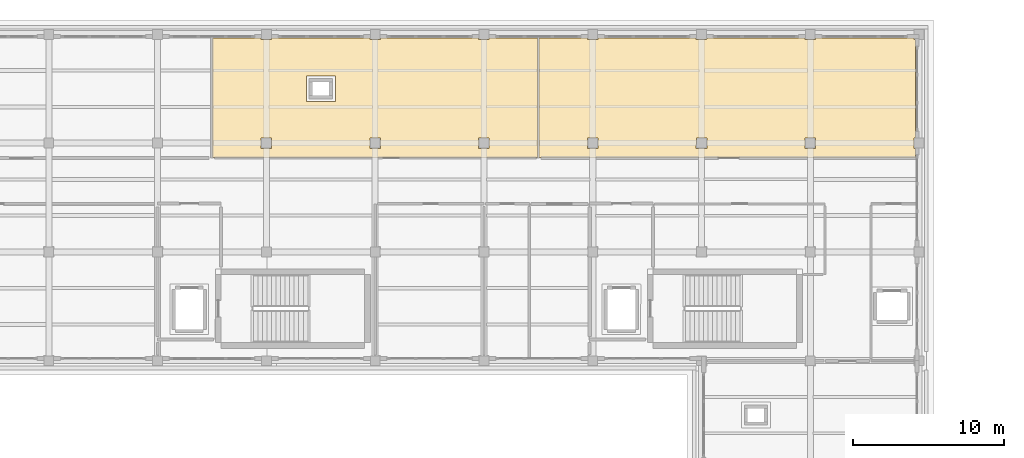
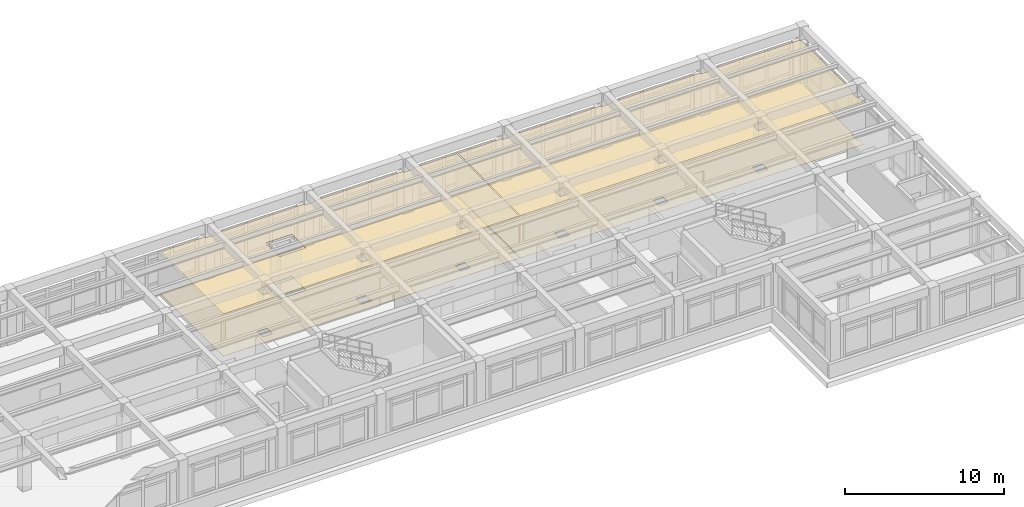
# One storey, part 55 of 55: 4 coverings.
"""IFC4 building model written with IfcOpenShell, lengths in metres."""

from ifc_helpers import new_model, si_unit, direction, frame, origin, place, context, subcontext, project, spatial, polyline, outline, extrude, material, layer, layer_set, type_object, element, save


model = new_model("IFC4")

# Units and contexts
model_context = context("Model", 3, precision=1e-05, world=origin(), true_north=direction((0.0, 1.0)))
body_context = subcontext(model_context, "Body", "Model", "MODEL_VIEW")
ifc_project = project(units=[si_unit("LENGTHUNIT", "METRE"), si_unit("AREAUNIT", "SQUARE_METRE"), si_unit("VOLUMEUNIT", "CUBIC_METRE"), si_unit("PLANEANGLEUNIT", "RADIAN"), si_unit("MASSUNIT", "GRAM", prefix="KILO")], contexts=[model_context])

# Site, building, storey
site_placement = place(None, origin())
site = spatial("IfcSite", under=ifc_project, at=site_placement, CompositionType="ELEMENT")
building_placement = place(site_placement, origin())
building = spatial("IfcBuilding", under=site, at=building_placement, Name="Solenvale Faculty of Natural Sciences", CompositionType="ELEMENT")
storey_placement = place(building_placement, frame((0.0, 0.0, 22.5)))
storey = spatial("IfcBuildingStorey", under=building, at=storey_placement, Name="L05", CompositionType="ELEMENT", Elevation=22.5)

# Coverings
ifc_material_1 = material(Name="Acoustic mineral-timber ceiling", Category="wood")
ifc_layer_1 = layer(ifc_material_1, 0.02490234375)
ifc_layer_set_1 = layer_set([ifc_layer_1], Name="Acoustic mineral-timber ceiling")
covering_type_1 = type_object("IfcCoveringType", Name="COV-CEIL-AC25", PredefinedType="CEILING", material=ifc_layer_set_1)
covering_1_placement = place(storey_placement, frame((0.0, 0.0, 3.235107421875)))
element("IfcCovering", 1, at=covering_1_placement, inside=storey, type_object=covering_type_1, Name="L05 Faculty Staff Office Acoustic Ceiling", PredefinedType="CEILING", context=body_context, shape_type="SweptSolid", body=[
    extrude(outline(polyline([(107.6201171875, 114.9599609375), (107.64794921875, 114.94091796875), (107.64990234375, 114.85888671875), (107.660888671875, 114.85009765625), (108.342041015625, 114.85009765625), (108.35107421875, 114.93896484375), (108.3798828125, 114.9599609375), (114.820068359375, 114.9599609375), (114.847900390625, 114.94091796875), (114.85009765625, 114.85888671875), (114.861083984375, 114.85009765625), (115.5419921875, 114.85009765625), (115.551025390625, 114.93896484375), (115.580078125, 114.9599609375), (122.02001953125, 114.9599609375), (122.048095703125, 114.94091796875), (122.050048828125, 114.85888671875), (122.06103515625, 114.85009765625), (122.741943359375, 114.85009765625), (122.7509765625, 114.93896484375), (122.780029296875, 114.9599609375), (125.9609375, 114.9580078125), (125.97998046875, 114.929931640625), (125.97802734375, 107.05908203125), (125.949951171875, 107.0400390625), (104.458984375, 107.0419921875), (104.43994140625, 107.070068359375), (104.44189453125, 114.94091796875), (104.469970703125, 114.9599609375), (107.6201171875, 114.9599609375)]), holes=[polyline([(122.06103515625, 108.35009765625), (122.050048828125, 108.339111328125), (122.052978515625, 107.653076171875), (122.7470703125, 107.653076171875), (122.7470703125, 108.346923828125), (122.06103515625, 108.35009765625)]), polyline([(114.861083984375, 108.35009765625), (114.85009765625, 108.339111328125), (114.85302734375, 107.653076171875), (115.547119140625, 107.653076171875), (115.547119140625, 108.346923828125), (114.861083984375, 108.35009765625)]), polyline([(112.56005859375, 112.431884765625), (112.550048828125, 112.451904296875), (112.530029296875, 112.4599609375), (110.64990234375, 112.451904296875), (110.639892578125, 112.429931640625), (110.64794921875, 110.75), (110.669921875, 110.739990234375), (112.550048828125, 110.748046875), (112.56005859375, 110.77001953125), (112.56005859375, 112.431884765625)]), polyline([(107.64990234375, 107.660888671875), (107.660888671875, 107.64990234375), (108.346923828125, 107.653076171875), (108.346923828125, 108.346923828125), (107.653076171875, 108.346923828125), (107.64990234375, 107.660888671875)])]), origin(), (0.0, 0.0, 1.0), 0.02490234375),
])
covering_2_placement = place(storey_placement, frame((0.0, 0.0, 3.235107421875)))
element("IfcCovering", 2, at=covering_2_placement, inside=storey, type_object=covering_type_1, Name="L05 Geochemistry Mass-Spectrometry Laboratory Acoustic Ceiling", PredefinedType="CEILING", context=body_context, shape_type="SweptSolid", body=[
    extrude(outline(polyline([(129.219970703125, 114.9599609375), (129.248046875, 114.94091796875), (129.25, 114.85888671875), (129.260986328125, 114.85009765625), (129.94189453125, 114.85009765625), (129.950927734375, 114.93896484375), (129.97998046875, 114.9599609375), (136.419921875, 114.9599609375), (136.447998046875, 114.94091796875), (136.449951171875, 114.85888671875), (136.4609375, 114.85009765625), (137.14208984375, 114.85009765625), (137.15087890625, 114.93896484375), (137.179931640625, 114.9599609375), (143.6201171875, 114.9599609375), (143.64794921875, 114.94091796875), (143.64990234375, 114.85888671875), (143.660888671875, 114.85009765625), (144.342041015625, 114.85009765625), (144.35107421875, 114.93896484375), (144.3798828125, 114.9599609375), (150.8310546875, 114.9580078125), (150.84912109375, 114.93603515625), (150.85302734375, 114.85302734375), (150.93896484375, 114.84912109375), (150.9599609375, 114.820068359375), (150.9599609375, 108.3798828125), (150.94091796875, 108.35205078125), (150.85888671875, 108.35009765625), (150.85009765625, 108.339111328125), (150.85009765625, 107.658935546875), (150.93896484375, 107.64892578125), (150.958984375, 107.6259765625), (150.9580078125, 107.05908203125), (150.929931640625, 107.0400390625), (126.05908203125, 107.0419921875), (126.0400390625, 107.070068359375), (126.0419921875, 114.94091796875), (126.070068359375, 114.9599609375), (129.219970703125, 114.9599609375)]), holes=[polyline([(143.64990234375, 107.660888671875), (143.660888671875, 107.64990234375), (144.346923828125, 107.653076171875), (144.346923828125, 108.346923828125), (143.653076171875, 108.346923828125), (143.64990234375, 107.660888671875)]), polyline([(136.449951171875, 107.660888671875), (136.4609375, 107.64990234375), (137.14697265625, 107.653076171875), (137.14697265625, 108.346923828125), (136.452880859375, 108.346923828125), (136.449951171875, 107.660888671875)]), polyline([(129.25, 107.660888671875), (129.260986328125, 107.64990234375), (129.947021484375, 107.653076171875), (129.947021484375, 108.346923828125), (129.2529296875, 108.346923828125), (129.25, 107.660888671875)])]), origin(), (0.0, 0.0, 1.0), 0.02490234375),
])
ifc_material_2 = material(Name="Polished slate terrazzo flooring", Category="masonry")
ifc_layer_2 = layer(ifc_material_2, 0.01806640625)
ifc_layer_set_2 = layer_set([ifc_layer_2], Name="Polished slate terrazzo flooring")
covering_type_2 = type_object("IfcCoveringType", Name="COV-FLR-TRZ18", PredefinedType="FLOORING", material=ifc_layer_set_2)
covering_3_placement = place(storey_placement, origin())
element("IfcCovering", 3, at=covering_3_placement, inside=storey, type_object=covering_type_2, Name="L05 Faculty Staff Office Floor Finish", PredefinedType="FLOORING", context=body_context, shape_type="SweptSolid", body=[
    extrude(outline(polyline([(107.6201171875, 114.9599609375), (107.64794921875, 114.94091796875), (107.64990234375, 114.85888671875), (107.660888671875, 114.85009765625), (108.342041015625, 114.85009765625), (108.35107421875, 114.93896484375), (108.3798828125, 114.9599609375), (114.820068359375, 114.9599609375), (114.847900390625, 114.94091796875), (114.85009765625, 114.85888671875), (114.861083984375, 114.85009765625), (115.5419921875, 114.85009765625), (115.551025390625, 114.93896484375), (115.580078125, 114.9599609375), (122.02001953125, 114.9599609375), (122.048095703125, 114.94091796875), (122.050048828125, 114.85888671875), (122.06103515625, 114.85009765625), (122.741943359375, 114.85009765625), (122.7509765625, 114.93896484375), (122.780029296875, 114.9599609375), (125.9609375, 114.9580078125), (125.97998046875, 114.929931640625), (125.97802734375, 107.05908203125), (125.949951171875, 107.0400390625), (104.458984375, 107.0419921875), (104.43994140625, 107.070068359375), (104.44189453125, 114.94091796875), (104.469970703125, 114.9599609375), (107.6201171875, 114.9599609375)]), holes=[polyline([(122.06103515625, 108.35009765625), (122.050048828125, 108.339111328125), (122.052978515625, 107.653076171875), (122.7470703125, 107.653076171875), (122.7470703125, 108.346923828125), (122.06103515625, 108.35009765625)]), polyline([(114.861083984375, 108.35009765625), (114.85009765625, 108.339111328125), (114.85302734375, 107.653076171875), (115.547119140625, 107.653076171875), (115.547119140625, 108.346923828125), (114.861083984375, 108.35009765625)]), polyline([(112.56005859375, 112.431884765625), (112.550048828125, 112.451904296875), (112.530029296875, 112.4599609375), (110.64990234375, 112.451904296875), (110.639892578125, 112.429931640625), (110.64794921875, 110.75), (110.669921875, 110.739990234375), (112.550048828125, 110.748046875), (112.56005859375, 110.77001953125), (112.56005859375, 112.431884765625)]), polyline([(107.64990234375, 107.660888671875), (107.660888671875, 107.64990234375), (108.346923828125, 107.653076171875), (108.346923828125, 108.346923828125), (107.653076171875, 108.346923828125), (107.64990234375, 107.660888671875)])]), origin(), (0.0, 0.0, 1.0), 0.01806640625),
])
ifc_material_3 = material(Name="Seamless laboratory vinyl flooring")
ifc_layer_3 = layer(ifc_material_3, 0.008056640625)
ifc_layer_set_3 = layer_set([ifc_layer_3], Name="Seamless laboratory vinyl flooring")
covering_type_3 = type_object("IfcCoveringType", Name="COV-FLR-VNL08", PredefinedType="FLOORING", material=ifc_layer_set_3)
covering_4_placement = place(storey_placement, origin())
element("IfcCovering", 4, at=covering_4_placement, inside=storey, type_object=covering_type_3, Name="L05 Geochemistry Mass-Spectrometry Laboratory Floor Finish", PredefinedType="FLOORING", context=body_context, shape_type="SweptSolid", body=[
    extrude(outline(polyline([(129.219970703125, 114.9599609375), (129.248046875, 114.94091796875), (129.25, 114.85888671875), (129.260986328125, 114.85009765625), (129.94189453125, 114.85009765625), (129.950927734375, 114.93896484375), (129.97998046875, 114.9599609375), (136.419921875, 114.9599609375), (136.447998046875, 114.94091796875), (136.449951171875, 114.85888671875), (136.4609375, 114.85009765625), (137.14208984375, 114.85009765625), (137.15087890625, 114.93896484375), (137.179931640625, 114.9599609375), (143.6201171875, 114.9599609375), (143.64794921875, 114.94091796875), (143.64990234375, 114.85888671875), (143.660888671875, 114.85009765625), (144.342041015625, 114.85009765625), (144.35107421875, 114.93896484375), (144.3798828125, 114.9599609375), (150.8310546875, 114.9580078125), (150.84912109375, 114.93603515625), (150.85302734375, 114.85302734375), (150.93896484375, 114.84912109375), (150.9599609375, 114.820068359375), (150.9599609375, 108.3798828125), (150.94091796875, 108.35205078125), (150.85888671875, 108.35009765625), (150.85009765625, 108.339111328125), (150.85009765625, 107.658935546875), (150.93896484375, 107.64892578125), (150.958984375, 107.6259765625), (150.9580078125, 107.05908203125), (150.929931640625, 107.0400390625), (126.05908203125, 107.0419921875), (126.0400390625, 107.070068359375), (126.0419921875, 114.94091796875), (126.070068359375, 114.9599609375), (129.219970703125, 114.9599609375)]), holes=[polyline([(143.64990234375, 107.660888671875), (143.660888671875, 107.64990234375), (144.346923828125, 107.653076171875), (144.346923828125, 108.346923828125), (143.653076171875, 108.346923828125), (143.64990234375, 107.660888671875)]), polyline([(136.449951171875, 107.660888671875), (136.4609375, 107.64990234375), (137.14697265625, 107.653076171875), (137.14697265625, 108.346923828125), (136.452880859375, 108.346923828125), (136.449951171875, 107.660888671875)]), polyline([(129.25, 107.660888671875), (129.260986328125, 107.64990234375), (129.947021484375, 107.653076171875), (129.947021484375, 108.346923828125), (129.2529296875, 108.346923828125), (129.25, 107.660888671875)])]), origin(), (0.0, 0.0, 1.0), 0.008056640625),
])

save(model, "model.ifc")
